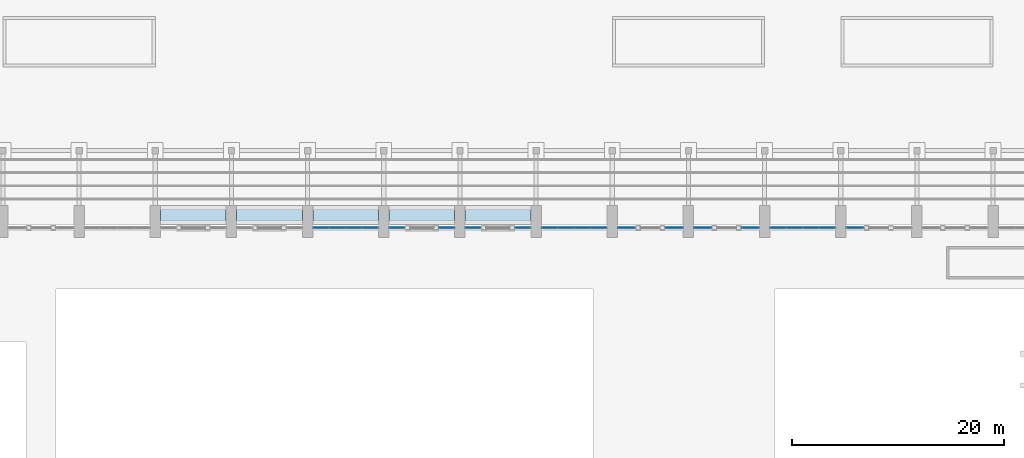
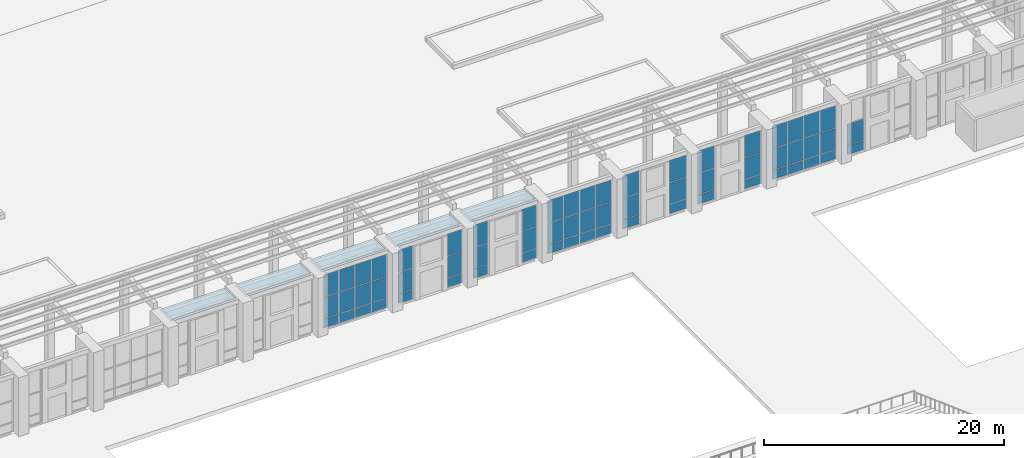
# One storey, part 33 of 70: 62 plates, 5 slabs, 12 elements without a shape of their own.
"""IFC4 building model written with IfcOpenShell, lengths in metres."""

from ifc_helpers import new_model, si_unit, direction, frame, origin, origin_2d, place, context, subcontext, project, spatial, polyline, rectangle, outline, extrude, material, layer, layer_set, type_object, element, aggregate, save


model = new_model("IFC4")

# Units and contexts
model_context = context("Model", 3, precision=1e-05, world=origin(), true_north=direction((0.0, 1.0)))
body_context = subcontext(model_context, "Body", "Model", "MODEL_VIEW")
ifc_project = project(units=[si_unit("LENGTHUNIT", "METRE"), si_unit("AREAUNIT", "SQUARE_METRE"), si_unit("VOLUMEUNIT", "CUBIC_METRE"), si_unit("PLANEANGLEUNIT", "RADIAN"), si_unit("MASSUNIT", "GRAM", prefix="KILO")], contexts=[model_context])

# Site, building, storey
site_placement = place(None, origin())
site = spatial("IfcSite", under=ifc_project, at=site_placement, CompositionType="ELEMENT")
building_placement = place(site_placement, origin())
building = spatial("IfcBuilding", under=site, at=building_placement, Name="Vermilion Court Aquatics Centre", CompositionType="ELEMENT")
storey_placement = place(building_placement, origin())
storey = spatial("IfcBuildingStorey", under=building, at=storey_placement, Name="L00", CompositionType="ELEMENT", Elevation=0.0)

# Curtain wall, plates
ifc_material_1 = material(Name="Aluminium 6063-T5", Category="aluminium")
curtain_wall_type = type_object("IfcCurtainWallType", Name="Envelope curtain wall hall glazing L00", PredefinedType="NOTDEFINED", material=ifc_material_1)
curtain_wall_1_placement = place(storey_placement, origin())
curtain_wall_1 = element("IfcCurtainWall", 1, at=curtain_wall_1_placement, inside=storey, type_object=curtain_wall_type, Name="Hall glazing bay 9 L00", PredefinedType="NOTDEFINED")
ifc_material_2 = material(Name="Glazing", Category="glass")
ifc_layer_1 = layer(ifc_material_2, 0.028076171875)
ifc_layer_set_1 = layer_set([ifc_layer_1], Name="Envelope insulated glazing panel 28")
plate_type = type_object("IfcPlateType", Name="Envelope insulated glazing panel 28", PredefinedType="CURTAIN_PANEL", material=ifc_layer_set_1)
plate_1_placement = place(storey_placement, frame((73.2900390625, 64.800048828125, 0.06005859375), z_axis=(0.0, 0.0, 1.0), x_axis=(1.0, 0.0, 0.0)))
plate_1 = element("IfcPlate", 2, at=plate_1_placement, type_object=plate_type, Name="ECW1 panel 1.1", PredefinedType="CURTAIN_PANEL", context=body_context, shape_type="SweptSolid", body=[
    extrude(rectangle(XDim=1.4599609375, YDim=0.028076171875, at=origin_2d()), origin(), (0.0, 0.0, 1.0), 0.909912109375),
])
plate_2_placement = place(storey_placement, frame((73.2900390625, 64.800048828125, 1.0302734375), z_axis=(0.0, 0.0, 1.0), x_axis=(1.0, 0.0, 0.0)))
plate_2 = element("IfcPlate", 3, at=plate_2_placement, type_object=plate_type, Name="ECW1 panel 1.2", PredefinedType="CURTAIN_PANEL", context=body_context, shape_type="SweptSolid", body=[
    extrude(rectangle(XDim=1.4599609375, YDim=0.028076171875, at=origin_2d()), origin(), (0.0, 0.0, 1.0), 2.139892578125),
])
plate_3_placement = place(storey_placement, frame((73.2900390625, 64.800048828125, 3.22998046875), z_axis=(0.0, 0.0, 1.0), x_axis=(1.0, 0.0, 0.0)))
plate_3 = element("IfcPlate", 4, at=plate_3_placement, type_object=plate_type, Name="ECW1 panel 1.3", PredefinedType="CURTAIN_PANEL", context=body_context, shape_type="SweptSolid", body=[
    extrude(rectangle(XDim=1.4599609375, YDim=0.028076171875, at=origin_2d()), origin(), (0.0, 0.0, 1.0), 2.260009765625),
])
plate_4_placement = place(storey_placement, frame((74.824951171875, 64.800048828125, 0.06005859375), z_axis=(0.0, 0.0, 1.0), x_axis=(1.0, 0.0, 0.0)))
plate_4 = element("IfcPlate", 5, at=plate_4_placement, type_object=plate_type, Name="ECW1 panel 2.1", PredefinedType="CURTAIN_PANEL", context=body_context, shape_type="SweptSolid", body=[
    extrude(rectangle(XDim=1.489990234375, YDim=0.028076171875, at=origin_2d()), origin(), (0.0, 0.0, 1.0), 0.909912109375),
])
plate_5_placement = place(storey_placement, frame((74.824951171875, 64.800048828125, 1.0302734375), z_axis=(0.0, 0.0, 1.0), x_axis=(1.0, 0.0, 0.0)))
plate_5 = element("IfcPlate", 6, at=plate_5_placement, type_object=plate_type, Name="ECW1 panel 2.2", PredefinedType="CURTAIN_PANEL", context=body_context, shape_type="SweptSolid", body=[
    extrude(rectangle(XDim=1.489990234375, YDim=0.028076171875, at=origin_2d()), origin(), (0.0, 0.0, 1.0), 2.139892578125),
])
plate_6_placement = place(storey_placement, frame((74.824951171875, 64.800048828125, 3.22998046875), z_axis=(0.0, 0.0, 1.0), x_axis=(1.0, 0.0, 0.0)))
plate_6 = element("IfcPlate", 7, at=plate_6_placement, type_object=plate_type, Name="ECW1 panel 2.3", PredefinedType="CURTAIN_PANEL", context=body_context, shape_type="SweptSolid", body=[
    extrude(rectangle(XDim=1.489990234375, YDim=0.028076171875, at=origin_2d()), origin(), (0.0, 0.0, 1.0), 2.260009765625),
])
plate_7_placement = place(storey_placement, frame((76.375, 64.800048828125, 0.06005859375), z_axis=(0.0, 0.0, 1.0), x_axis=(1.0, 0.0, 0.0)))
plate_7 = element("IfcPlate", 8, at=plate_7_placement, type_object=plate_type, Name="ECW1 panel 3.1", PredefinedType="CURTAIN_PANEL", context=body_context, shape_type="SweptSolid", body=[
    extrude(rectangle(XDim=1.489990234375, YDim=0.028076171875, at=origin_2d()), origin(), (0.0, 0.0, 1.0), 0.909912109375),
])
plate_8_placement = place(storey_placement, frame((76.375, 64.800048828125, 1.0302734375), z_axis=(0.0, 0.0, 1.0), x_axis=(1.0, 0.0, 0.0)))
plate_8 = element("IfcPlate", 9, at=plate_8_placement, type_object=plate_type, Name="ECW1 panel 3.2", PredefinedType="CURTAIN_PANEL", context=body_context, shape_type="SweptSolid", body=[
    extrude(rectangle(XDim=1.489990234375, YDim=0.028076171875, at=origin_2d()), origin(), (0.0, 0.0, 1.0), 2.139892578125),
])
plate_9_placement = place(storey_placement, frame((76.375, 64.800048828125, 3.22998046875), z_axis=(0.0, 0.0, 1.0), x_axis=(1.0, 0.0, 0.0)))
plate_9 = element("IfcPlate", 10, at=plate_9_placement, type_object=plate_type, Name="ECW1 panel 3.3", PredefinedType="CURTAIN_PANEL", context=body_context, shape_type="SweptSolid", body=[
    extrude(rectangle(XDim=1.489990234375, YDim=0.028076171875, at=origin_2d()), origin(), (0.0, 0.0, 1.0), 2.260009765625),
])
plate_10_placement = place(storey_placement, frame((77.909912109375, 64.800048828125, 0.06005859375), z_axis=(0.0, 0.0, 1.0), x_axis=(1.0, 0.0, 0.0)))
plate_10 = element("IfcPlate", 11, at=plate_10_placement, type_object=plate_type, Name="ECW1 panel 4.1", PredefinedType="CURTAIN_PANEL", context=body_context, shape_type="SweptSolid", body=[
    extrude(rectangle(XDim=1.4599609375, YDim=0.028076171875, at=origin_2d()), origin(), (0.0, 0.0, 1.0), 0.909912109375),
])
plate_11_placement = place(storey_placement, frame((77.909912109375, 64.800048828125, 1.0302734375), z_axis=(0.0, 0.0, 1.0), x_axis=(1.0, 0.0, 0.0)))
plate_11 = element("IfcPlate", 12, at=plate_11_placement, type_object=plate_type, Name="ECW1 panel 4.2", PredefinedType="CURTAIN_PANEL", context=body_context, shape_type="SweptSolid", body=[
    extrude(rectangle(XDim=1.4599609375, YDim=0.028076171875, at=origin_2d()), origin(), (0.0, 0.0, 1.0), 2.139892578125),
])
plate_12_placement = place(storey_placement, frame((77.909912109375, 64.800048828125, 3.22998046875), z_axis=(0.0, 0.0, 1.0), x_axis=(1.0, 0.0, 0.0)))
plate_12 = element("IfcPlate", 13, at=plate_12_placement, type_object=plate_type, Name="ECW1 panel 4.3", PredefinedType="CURTAIN_PANEL", context=body_context, shape_type="SweptSolid", body=[
    extrude(rectangle(XDim=1.4599609375, YDim=0.028076171875, at=origin_2d()), origin(), (0.0, 0.0, 1.0), 2.260009765625),
])
aggregate(curtain_wall_1, [plate_1, plate_2, plate_3, plate_4, plate_5, plate_6, plate_7, plate_8, plate_9, plate_10, plate_11, plate_12])

curtain_wall_2_placement = place(storey_placement, origin())
curtain_wall_2 = element("IfcCurtainWall", 14, at=curtain_wall_2_placement, inside=storey, type_object=curtain_wall_type, Name="Hall entrance sidelight bay 10 L00 W", PredefinedType="NOTDEFINED")
plate_13_placement = place(storey_placement, frame((80.449951171875, 64.800048828125, 0.06005859375), z_axis=(0.0, 0.0, 1.0), x_axis=(1.0, 0.0, 0.0)))
plate_13 = element("IfcPlate", 15, at=plate_13_placement, type_object=plate_type, Name="ECW1 panel 1.1", PredefinedType="CURTAIN_PANEL", context=body_context, shape_type="SweptSolid", body=[
    extrude(rectangle(XDim=1.3798828125, YDim=0.028076171875, at=origin_2d()), origin(), (0.0, 0.0, 1.0), 0.909912109375),
])
plate_14_placement = place(storey_placement, frame((80.449951171875, 64.800048828125, 1.0302734375), z_axis=(0.0, 0.0, 1.0), x_axis=(1.0, 0.0, 0.0)))
plate_14 = element("IfcPlate", 16, at=plate_14_placement, type_object=plate_type, Name="ECW1 panel 1.2", PredefinedType="CURTAIN_PANEL", context=body_context, shape_type="SweptSolid", body=[
    extrude(rectangle(XDim=1.3798828125, YDim=0.028076171875, at=origin_2d()), origin(), (0.0, 0.0, 1.0), 2.139892578125),
])
plate_15_placement = place(storey_placement, frame((80.449951171875, 64.800048828125, 3.22998046875), z_axis=(0.0, 0.0, 1.0), x_axis=(1.0, 0.0, 0.0)))
plate_15 = element("IfcPlate", 17, at=plate_15_placement, type_object=plate_type, Name="ECW1 panel 1.3", PredefinedType="CURTAIN_PANEL", context=body_context, shape_type="SweptSolid", body=[
    extrude(rectangle(XDim=1.3798828125, YDim=0.028076171875, at=origin_2d()), origin(), (0.0, 0.0, 1.0), 2.260009765625),
])
aggregate(curtain_wall_2, [plate_13, plate_14, plate_15])

curtain_wall_3_placement = place(storey_placement, origin())
curtain_wall_3 = element("IfcCurtainWall", 18, at=curtain_wall_3_placement, inside=storey, type_object=curtain_wall_type, Name="Hall entrance sidelight bay 10 L00 E", PredefinedType="NOTDEFINED")
plate_16_placement = place(storey_placement, frame((85.14990234375, 64.800048828125, 0.06005859375), z_axis=(0.0, 0.0, 1.0), x_axis=(1.0, 0.0, 0.0)))
plate_16 = element("IfcPlate", 19, at=plate_16_placement, type_object=plate_type, Name="ECW1 panel 1.1", PredefinedType="CURTAIN_PANEL", context=body_context, shape_type="SweptSolid", body=[
    extrude(rectangle(XDim=1.3798828125, YDim=0.028076171875, at=origin_2d()), origin(), (0.0, 0.0, 1.0), 0.909912109375),
])
plate_17_placement = place(storey_placement, frame((85.14990234375, 64.800048828125, 1.0302734375), z_axis=(0.0, 0.0, 1.0), x_axis=(1.0, 0.0, 0.0)))
plate_17 = element("IfcPlate", 20, at=plate_17_placement, type_object=plate_type, Name="ECW1 panel 1.2", PredefinedType="CURTAIN_PANEL", context=body_context, shape_type="SweptSolid", body=[
    extrude(rectangle(XDim=1.3798828125, YDim=0.028076171875, at=origin_2d()), origin(), (0.0, 0.0, 1.0), 2.139892578125),
])
plate_18_placement = place(storey_placement, frame((85.14990234375, 64.800048828125, 3.22998046875), z_axis=(0.0, 0.0, 1.0), x_axis=(1.0, 0.0, 0.0)))
plate_18 = element("IfcPlate", 21, at=plate_18_placement, type_object=plate_type, Name="ECW1 panel 1.3", PredefinedType="CURTAIN_PANEL", context=body_context, shape_type="SweptSolid", body=[
    extrude(rectangle(XDim=1.3798828125, YDim=0.028076171875, at=origin_2d()), origin(), (0.0, 0.0, 1.0), 2.260009765625),
])
aggregate(curtain_wall_3, [plate_16, plate_17, plate_18])

curtain_wall_4_placement = place(storey_placement, origin())
curtain_wall_4 = element("IfcCurtainWall", 22, at=curtain_wall_4_placement, inside=storey, type_object=curtain_wall_type, Name="Hall entrance sidelight bay 11 L00 W", PredefinedType="NOTDEFINED")
plate_19_placement = place(storey_placement, frame((87.64990234375, 64.800048828125, 0.06005859375), z_axis=(0.0, 0.0, 1.0), x_axis=(1.0, 0.0, 0.0)))
plate_19 = element("IfcPlate", 23, at=plate_19_placement, type_object=plate_type, Name="ECW1 panel 1.1", PredefinedType="CURTAIN_PANEL", context=body_context, shape_type="SweptSolid", body=[
    extrude(rectangle(XDim=1.3798828125, YDim=0.028076171875, at=origin_2d()), origin(), (0.0, 0.0, 1.0), 0.909912109375),
])
plate_20_placement = place(storey_placement, frame((87.64990234375, 64.800048828125, 1.0302734375), z_axis=(0.0, 0.0, 1.0), x_axis=(1.0, 0.0, 0.0)))
plate_20 = element("IfcPlate", 24, at=plate_20_placement, type_object=plate_type, Name="ECW1 panel 1.2", PredefinedType="CURTAIN_PANEL", context=body_context, shape_type="SweptSolid", body=[
    extrude(rectangle(XDim=1.3798828125, YDim=0.028076171875, at=origin_2d()), origin(), (0.0, 0.0, 1.0), 2.139892578125),
])
plate_21_placement = place(storey_placement, frame((87.64990234375, 64.800048828125, 3.22998046875), z_axis=(0.0, 0.0, 1.0), x_axis=(1.0, 0.0, 0.0)))
plate_21 = element("IfcPlate", 25, at=plate_21_placement, type_object=plate_type, Name="ECW1 panel 1.3", PredefinedType="CURTAIN_PANEL", context=body_context, shape_type="SweptSolid", body=[
    extrude(rectangle(XDim=1.3798828125, YDim=0.028076171875, at=origin_2d()), origin(), (0.0, 0.0, 1.0), 2.260009765625),
])
aggregate(curtain_wall_4, [plate_19, plate_20, plate_21])

curtain_wall_5_placement = place(storey_placement, origin())
curtain_wall_5 = element("IfcCurtainWall", 26, at=curtain_wall_5_placement, inside=storey, type_object=curtain_wall_type, Name="Hall entrance sidelight bay 11 L00 E", PredefinedType="NOTDEFINED")
plate_22_placement = place(storey_placement, frame((92.35009765625, 64.800048828125, 0.06005859375), z_axis=(0.0, 0.0, 1.0), x_axis=(1.0, 0.0, 0.0)))
plate_22 = element("IfcPlate", 27, at=plate_22_placement, type_object=plate_type, Name="ECW1 panel 1.1", PredefinedType="CURTAIN_PANEL", context=body_context, shape_type="SweptSolid", body=[
    extrude(rectangle(XDim=1.3798828125, YDim=0.028076171875, at=origin_2d()), origin(), (0.0, 0.0, 1.0), 0.909912109375),
])
plate_23_placement = place(storey_placement, frame((92.35009765625, 64.800048828125, 1.0302734375), z_axis=(0.0, 0.0, 1.0), x_axis=(1.0, 0.0, 0.0)))
plate_23 = element("IfcPlate", 28, at=plate_23_placement, type_object=plate_type, Name="ECW1 panel 1.2", PredefinedType="CURTAIN_PANEL", context=body_context, shape_type="SweptSolid", body=[
    extrude(rectangle(XDim=1.3798828125, YDim=0.028076171875, at=origin_2d()), origin(), (0.0, 0.0, 1.0), 2.139892578125),
])
plate_24_placement = place(storey_placement, frame((92.35009765625, 64.800048828125, 3.22998046875), z_axis=(0.0, 0.0, 1.0), x_axis=(1.0, 0.0, 0.0)))
plate_24 = element("IfcPlate", 29, at=plate_24_placement, type_object=plate_type, Name="ECW1 panel 1.3", PredefinedType="CURTAIN_PANEL", context=body_context, shape_type="SweptSolid", body=[
    extrude(rectangle(XDim=1.3798828125, YDim=0.028076171875, at=origin_2d()), origin(), (0.0, 0.0, 1.0), 2.260009765625),
])
aggregate(curtain_wall_5, [plate_22, plate_23, plate_24])

curtain_wall_6_placement = place(storey_placement, origin())
curtain_wall_6 = element("IfcCurtainWall", 30, at=curtain_wall_6_placement, inside=storey, type_object=curtain_wall_type, Name="Hall glazing bay 12 L00", PredefinedType="NOTDEFINED")
plate_25_placement = place(storey_placement, frame((94.889892578125, 64.800048828125, 0.06005859375), z_axis=(0.0, 0.0, 1.0), x_axis=(1.0, 0.0, 0.0)))
plate_25 = element("IfcPlate", 31, at=plate_25_placement, type_object=plate_type, Name="ECW1 panel 1.1", PredefinedType="CURTAIN_PANEL", context=body_context, shape_type="SweptSolid", body=[
    extrude(rectangle(XDim=1.4599609375, YDim=0.028076171875, at=origin_2d()), origin(), (0.0, 0.0, 1.0), 0.909912109375),
])
plate_26_placement = place(storey_placement, frame((94.889892578125, 64.800048828125, 1.0302734375), z_axis=(0.0, 0.0, 1.0), x_axis=(1.0, 0.0, 0.0)))
plate_26 = element("IfcPlate", 32, at=plate_26_placement, type_object=plate_type, Name="ECW1 panel 1.2", PredefinedType="CURTAIN_PANEL", context=body_context, shape_type="SweptSolid", body=[
    extrude(rectangle(XDim=1.4599609375, YDim=0.028076171875, at=origin_2d()), origin(), (0.0, 0.0, 1.0), 2.139892578125),
])
plate_27_placement = place(storey_placement, frame((94.889892578125, 64.800048828125, 3.22998046875), z_axis=(0.0, 0.0, 1.0), x_axis=(1.0, 0.0, 0.0)))
plate_27 = element("IfcPlate", 33, at=plate_27_placement, type_object=plate_type, Name="ECW1 panel 1.3", PredefinedType="CURTAIN_PANEL", context=body_context, shape_type="SweptSolid", body=[
    extrude(rectangle(XDim=1.4599609375, YDim=0.028076171875, at=origin_2d()), origin(), (0.0, 0.0, 1.0), 2.260009765625),
])
plate_28_placement = place(storey_placement, frame((96.425048828125, 64.800048828125, 0.06005859375), z_axis=(0.0, 0.0, 1.0), x_axis=(1.0, 0.0, 0.0)))
plate_28 = element("IfcPlate", 34, at=plate_28_placement, type_object=plate_type, Name="ECW1 panel 2.1", PredefinedType="CURTAIN_PANEL", context=body_context, shape_type="SweptSolid", body=[
    extrude(rectangle(XDim=1.489990234375, YDim=0.028076171875, at=origin_2d()), origin(), (0.0, 0.0, 1.0), 0.909912109375),
])
plate_29_placement = place(storey_placement, frame((96.425048828125, 64.800048828125, 1.0302734375), z_axis=(0.0, 0.0, 1.0), x_axis=(1.0, 0.0, 0.0)))
plate_29 = element("IfcPlate", 35, at=plate_29_placement, type_object=plate_type, Name="ECW1 panel 2.2", PredefinedType="CURTAIN_PANEL", context=body_context, shape_type="SweptSolid", body=[
    extrude(rectangle(XDim=1.489990234375, YDim=0.028076171875, at=origin_2d()), origin(), (0.0, 0.0, 1.0), 2.139892578125),
])
plate_30_placement = place(storey_placement, frame((96.425048828125, 64.800048828125, 3.22998046875), z_axis=(0.0, 0.0, 1.0), x_axis=(1.0, 0.0, 0.0)))
plate_30 = element("IfcPlate", 36, at=plate_30_placement, type_object=plate_type, Name="ECW1 panel 2.3", PredefinedType="CURTAIN_PANEL", context=body_context, shape_type="SweptSolid", body=[
    extrude(rectangle(XDim=1.489990234375, YDim=0.028076171875, at=origin_2d()), origin(), (0.0, 0.0, 1.0), 2.260009765625),
])
plate_31_placement = place(storey_placement, frame((97.97509765625, 64.800048828125, 0.06005859375), z_axis=(0.0, 0.0, 1.0), x_axis=(1.0, 0.0, 0.0)))
plate_31 = element("IfcPlate", 37, at=plate_31_placement, type_object=plate_type, Name="ECW1 panel 3.1", PredefinedType="CURTAIN_PANEL", context=body_context, shape_type="SweptSolid", body=[
    extrude(rectangle(XDim=1.489990234375, YDim=0.028076171875, at=origin_2d()), origin(), (0.0, 0.0, 1.0), 0.909912109375),
])
plate_32_placement = place(storey_placement, frame((97.97509765625, 64.800048828125, 1.0302734375), z_axis=(0.0, 0.0, 1.0), x_axis=(1.0, 0.0, 0.0)))
plate_32 = element("IfcPlate", 38, at=plate_32_placement, type_object=plate_type, Name="ECW1 panel 3.2", PredefinedType="CURTAIN_PANEL", context=body_context, shape_type="SweptSolid", body=[
    extrude(rectangle(XDim=1.489990234375, YDim=0.028076171875, at=origin_2d()), origin(), (0.0, 0.0, 1.0), 2.139892578125),
])
plate_33_placement = place(storey_placement, frame((97.97509765625, 64.800048828125, 3.22998046875), z_axis=(0.0, 0.0, 1.0), x_axis=(1.0, 0.0, 0.0)))
plate_33 = element("IfcPlate", 39, at=plate_33_placement, type_object=plate_type, Name="ECW1 panel 3.3", PredefinedType="CURTAIN_PANEL", context=body_context, shape_type="SweptSolid", body=[
    extrude(rectangle(XDim=1.489990234375, YDim=0.028076171875, at=origin_2d()), origin(), (0.0, 0.0, 1.0), 2.260009765625),
])
plate_34_placement = place(storey_placement, frame((99.510009765625, 64.800048828125, 0.06005859375), z_axis=(0.0, 0.0, 1.0), x_axis=(1.0, 0.0, 0.0)))
plate_34 = element("IfcPlate", 40, at=plate_34_placement, type_object=plate_type, Name="ECW1 panel 4.1", PredefinedType="CURTAIN_PANEL", context=body_context, shape_type="SweptSolid", body=[
    extrude(rectangle(XDim=1.4599609375, YDim=0.028076171875, at=origin_2d()), origin(), (0.0, 0.0, 1.0), 0.909912109375),
])
plate_35_placement = place(storey_placement, frame((99.510009765625, 64.800048828125, 1.0302734375), z_axis=(0.0, 0.0, 1.0), x_axis=(1.0, 0.0, 0.0)))
plate_35 = element("IfcPlate", 41, at=plate_35_placement, type_object=plate_type, Name="ECW1 panel 4.2", PredefinedType="CURTAIN_PANEL", context=body_context, shape_type="SweptSolid", body=[
    extrude(rectangle(XDim=1.4599609375, YDim=0.028076171875, at=origin_2d()), origin(), (0.0, 0.0, 1.0), 2.139892578125),
])
plate_36_placement = place(storey_placement, frame((99.510009765625, 64.800048828125, 3.22998046875), z_axis=(0.0, 0.0, 1.0), x_axis=(1.0, 0.0, 0.0)))
plate_36 = element("IfcPlate", 42, at=plate_36_placement, type_object=plate_type, Name="ECW1 panel 4.3", PredefinedType="CURTAIN_PANEL", context=body_context, shape_type="SweptSolid", body=[
    extrude(rectangle(XDim=1.4599609375, YDim=0.028076171875, at=origin_2d()), origin(), (0.0, 0.0, 1.0), 2.260009765625),
])
aggregate(curtain_wall_6, [plate_25, plate_26, plate_27, plate_28, plate_29, plate_30, plate_31, plate_32, plate_33, plate_34, plate_35, plate_36])

curtain_wall_7_placement = place(storey_placement, origin())
curtain_wall_7 = element("IfcCurtainWall", 43, at=curtain_wall_7_placement, inside=storey, type_object=curtain_wall_type, Name="Hall entrance sidelight bay 13 L00 W", PredefinedType="NOTDEFINED")
plate_37_placement = place(storey_placement, frame((102.14990234375, 64.800048828125, 0.06005859375), z_axis=(0.0, 0.0, 1.0), x_axis=(1.0, 0.0, 0.0)))
plate_37 = element("IfcPlate", 44, at=plate_37_placement, type_object=plate_type, Name="ECW1 panel 1.1", PredefinedType="CURTAIN_PANEL", context=body_context, shape_type="SweptSolid", body=[
    extrude(rectangle(XDim=1.580078125, YDim=0.028076171875, at=origin_2d()), origin(), (0.0, 0.0, 1.0), 0.909912109375),
])
plate_38_placement = place(storey_placement, frame((102.14990234375, 64.800048828125, 1.0302734375), z_axis=(0.0, 0.0, 1.0), x_axis=(1.0, 0.0, 0.0)))
plate_38 = element("IfcPlate", 45, at=plate_38_placement, type_object=plate_type, Name="ECW1 panel 1.2", PredefinedType="CURTAIN_PANEL", context=body_context, shape_type="SweptSolid", body=[
    extrude(rectangle(XDim=1.580078125, YDim=0.028076171875, at=origin_2d()), origin(), (0.0, 0.0, 1.0), 2.139892578125),
])
plate_39_placement = place(storey_placement, frame((102.14990234375, 64.800048828125, 3.22998046875), z_axis=(0.0, 0.0, 1.0), x_axis=(1.0, 0.0, 0.0)))
plate_39 = element("IfcPlate", 46, at=plate_39_placement, type_object=plate_type, Name="ECW1 panel 1.3", PredefinedType="CURTAIN_PANEL", context=body_context, shape_type="SweptSolid", body=[
    extrude(rectangle(XDim=1.580078125, YDim=0.028076171875, at=origin_2d()), origin(), (0.0, 0.0, 1.0), 2.260009765625),
])
aggregate(curtain_wall_7, [plate_37, plate_38, plate_39])

curtain_wall_8_placement = place(storey_placement, origin())
curtain_wall_8 = element("IfcCurtainWall", 47, at=curtain_wall_8_placement, inside=storey, type_object=curtain_wall_type, Name="Hall entrance sidelight bay 13 L00 E", PredefinedType="NOTDEFINED")
plate_40_placement = place(storey_placement, frame((106.64990234375, 64.800048828125, 0.06005859375), z_axis=(0.0, 0.0, 1.0), x_axis=(1.0, 0.0, 0.0)))
plate_40 = element("IfcPlate", 48, at=plate_40_placement, type_object=plate_type, Name="ECW1 panel 1.1", PredefinedType="CURTAIN_PANEL", context=body_context, shape_type="SweptSolid", body=[
    extrude(rectangle(XDim=1.580078125, YDim=0.028076171875, at=origin_2d()), origin(), (0.0, 0.0, 1.0), 0.909912109375),
])
plate_41_placement = place(storey_placement, frame((106.64990234375, 64.800048828125, 1.0302734375), z_axis=(0.0, 0.0, 1.0), x_axis=(1.0, 0.0, 0.0)))
plate_41 = element("IfcPlate", 49, at=plate_41_placement, type_object=plate_type, Name="ECW1 panel 1.2", PredefinedType="CURTAIN_PANEL", context=body_context, shape_type="SweptSolid", body=[
    extrude(rectangle(XDim=1.580078125, YDim=0.028076171875, at=origin_2d()), origin(), (0.0, 0.0, 1.0), 2.139892578125),
])
plate_42_placement = place(storey_placement, frame((106.64990234375, 64.800048828125, 3.22998046875), z_axis=(0.0, 0.0, 1.0), x_axis=(1.0, 0.0, 0.0)))
plate_42 = element("IfcPlate", 50, at=plate_42_placement, type_object=plate_type, Name="ECW1 panel 1.3", PredefinedType="CURTAIN_PANEL", context=body_context, shape_type="SweptSolid", body=[
    extrude(rectangle(XDim=1.580078125, YDim=0.028076171875, at=origin_2d()), origin(), (0.0, 0.0, 1.0), 2.260009765625),
])
aggregate(curtain_wall_8, [plate_40, plate_41, plate_42])

curtain_wall_9_placement = place(storey_placement, origin())
curtain_wall_9 = element("IfcCurtainWall", 51, at=curtain_wall_9_placement, inside=storey, type_object=curtain_wall_type, Name="Hall entrance sidelight bay 14 L00 W", PredefinedType="NOTDEFINED")
plate_43_placement = place(storey_placement, frame((109.35009765625, 64.800048828125, 0.06005859375), z_axis=(0.0, 0.0, 1.0), x_axis=(1.0, 0.0, 0.0)))
plate_43 = element("IfcPlate", 52, at=plate_43_placement, type_object=plate_type, Name="ECW1 panel 1.1", PredefinedType="CURTAIN_PANEL", context=body_context, shape_type="SweptSolid", body=[
    extrude(rectangle(XDim=1.580078125, YDim=0.028076171875, at=origin_2d()), origin(), (0.0, 0.0, 1.0), 0.909912109375),
])
plate_44_placement = place(storey_placement, frame((109.35009765625, 64.800048828125, 1.0302734375), z_axis=(0.0, 0.0, 1.0), x_axis=(1.0, 0.0, 0.0)))
plate_44 = element("IfcPlate", 53, at=plate_44_placement, type_object=plate_type, Name="ECW1 panel 1.2", PredefinedType="CURTAIN_PANEL", context=body_context, shape_type="SweptSolid", body=[
    extrude(rectangle(XDim=1.580078125, YDim=0.028076171875, at=origin_2d()), origin(), (0.0, 0.0, 1.0), 2.139892578125),
])
plate_45_placement = place(storey_placement, frame((109.35009765625, 64.800048828125, 3.22998046875), z_axis=(0.0, 0.0, 1.0), x_axis=(1.0, 0.0, 0.0)))
plate_45 = element("IfcPlate", 54, at=plate_45_placement, type_object=plate_type, Name="ECW1 panel 1.3", PredefinedType="CURTAIN_PANEL", context=body_context, shape_type="SweptSolid", body=[
    extrude(rectangle(XDim=1.580078125, YDim=0.028076171875, at=origin_2d()), origin(), (0.0, 0.0, 1.0), 2.260009765625),
])
aggregate(curtain_wall_9, [plate_43, plate_44, plate_45])

curtain_wall_10_placement = place(storey_placement, origin())
curtain_wall_10 = element("IfcCurtainWall", 55, at=curtain_wall_10_placement, inside=storey, type_object=curtain_wall_type, Name="Hall entrance sidelight bay 14 L00 E", PredefinedType="NOTDEFINED")
plate_46_placement = place(storey_placement, frame((113.85009765625, 64.800048828125, 0.06005859375), z_axis=(0.0, 0.0, 1.0), x_axis=(1.0, 0.0, 0.0)))
plate_46 = element("IfcPlate", 56, at=plate_46_placement, type_object=plate_type, Name="ECW1 panel 1.1", PredefinedType="CURTAIN_PANEL", context=body_context, shape_type="SweptSolid", body=[
    extrude(rectangle(XDim=1.580078125, YDim=0.028076171875, at=origin_2d()), origin(), (0.0, 0.0, 1.0), 0.909912109375),
])
plate_47_placement = place(storey_placement, frame((113.85009765625, 64.800048828125, 1.0302734375), z_axis=(0.0, 0.0, 1.0), x_axis=(1.0, 0.0, 0.0)))
plate_47 = element("IfcPlate", 57, at=plate_47_placement, type_object=plate_type, Name="ECW1 panel 1.2", PredefinedType="CURTAIN_PANEL", context=body_context, shape_type="SweptSolid", body=[
    extrude(rectangle(XDim=1.580078125, YDim=0.028076171875, at=origin_2d()), origin(), (0.0, 0.0, 1.0), 2.139892578125),
])
plate_48_placement = place(storey_placement, frame((113.85009765625, 64.800048828125, 3.22998046875), z_axis=(0.0, 0.0, 1.0), x_axis=(1.0, 0.0, 0.0)))
plate_48 = element("IfcPlate", 58, at=plate_48_placement, type_object=plate_type, Name="ECW1 panel 1.3", PredefinedType="CURTAIN_PANEL", context=body_context, shape_type="SweptSolid", body=[
    extrude(rectangle(XDim=1.580078125, YDim=0.028076171875, at=origin_2d()), origin(), (0.0, 0.0, 1.0), 2.260009765625),
])
aggregate(curtain_wall_10, [plate_46, plate_47, plate_48])

curtain_wall_11_placement = place(storey_placement, origin())
curtain_wall_11 = element("IfcCurtainWall", 59, at=curtain_wall_11_placement, inside=storey, type_object=curtain_wall_type, Name="Hall glazing bay 15 L00", PredefinedType="NOTDEFINED")
plate_49_placement = place(storey_placement, frame((116.489990234375, 64.800048828125, 0.06005859375), z_axis=(0.0, 0.0, 1.0), x_axis=(1.0, 0.0, 0.0)))
plate_49 = element("IfcPlate", 60, at=plate_49_placement, type_object=plate_type, Name="ECW1 panel 1.1", PredefinedType="CURTAIN_PANEL", context=body_context, shape_type="SweptSolid", body=[
    extrude(rectangle(XDim=1.4599609375, YDim=0.028076171875, at=origin_2d()), origin(), (0.0, 0.0, 1.0), 0.909912109375),
])
plate_50_placement = place(storey_placement, frame((116.489990234375, 64.800048828125, 1.0302734375), z_axis=(0.0, 0.0, 1.0), x_axis=(1.0, 0.0, 0.0)))
plate_50 = element("IfcPlate", 61, at=plate_50_placement, type_object=plate_type, Name="ECW1 panel 1.2", PredefinedType="CURTAIN_PANEL", context=body_context, shape_type="SweptSolid", body=[
    extrude(rectangle(XDim=1.4599609375, YDim=0.028076171875, at=origin_2d()), origin(), (0.0, 0.0, 1.0), 2.139892578125),
])
plate_51_placement = place(storey_placement, frame((116.489990234375, 64.800048828125, 3.22998046875), z_axis=(0.0, 0.0, 1.0), x_axis=(1.0, 0.0, 0.0)))
plate_51 = element("IfcPlate", 62, at=plate_51_placement, type_object=plate_type, Name="ECW1 panel 1.3", PredefinedType="CURTAIN_PANEL", context=body_context, shape_type="SweptSolid", body=[
    extrude(rectangle(XDim=1.4599609375, YDim=0.028076171875, at=origin_2d()), origin(), (0.0, 0.0, 1.0), 2.260009765625),
])
plate_52_placement = place(storey_placement, frame((118.02490234375, 64.800048828125, 0.06005859375), z_axis=(0.0, 0.0, 1.0), x_axis=(1.0, 0.0, 0.0)))
plate_52 = element("IfcPlate", 63, at=plate_52_placement, type_object=plate_type, Name="ECW1 panel 2.1", PredefinedType="CURTAIN_PANEL", context=body_context, shape_type="SweptSolid", body=[
    extrude(rectangle(XDim=1.489990234375, YDim=0.028076171875, at=origin_2d()), origin(), (0.0, 0.0, 1.0), 0.909912109375),
])
plate_53_placement = place(storey_placement, frame((118.02490234375, 64.800048828125, 1.0302734375), z_axis=(0.0, 0.0, 1.0), x_axis=(1.0, 0.0, 0.0)))
plate_53 = element("IfcPlate", 64, at=plate_53_placement, type_object=plate_type, Name="ECW1 panel 2.2", PredefinedType="CURTAIN_PANEL", context=body_context, shape_type="SweptSolid", body=[
    extrude(rectangle(XDim=1.489990234375, YDim=0.028076171875, at=origin_2d()), origin(), (0.0, 0.0, 1.0), 2.139892578125),
])
plate_54_placement = place(storey_placement, frame((118.02490234375, 64.800048828125, 3.22998046875), z_axis=(0.0, 0.0, 1.0), x_axis=(1.0, 0.0, 0.0)))
plate_54 = element("IfcPlate", 65, at=plate_54_placement, type_object=plate_type, Name="ECW1 panel 2.3", PredefinedType="CURTAIN_PANEL", context=body_context, shape_type="SweptSolid", body=[
    extrude(rectangle(XDim=1.489990234375, YDim=0.028076171875, at=origin_2d()), origin(), (0.0, 0.0, 1.0), 2.260009765625),
])
plate_55_placement = place(storey_placement, frame((119.574951171875, 64.800048828125, 0.06005859375), z_axis=(0.0, 0.0, 1.0), x_axis=(1.0, 0.0, 0.0)))
plate_55 = element("IfcPlate", 66, at=plate_55_placement, type_object=plate_type, Name="ECW1 panel 3.1", PredefinedType="CURTAIN_PANEL", context=body_context, shape_type="SweptSolid", body=[
    extrude(rectangle(XDim=1.489990234375, YDim=0.028076171875, at=origin_2d()), origin(), (0.0, 0.0, 1.0), 0.909912109375),
])
plate_56_placement = place(storey_placement, frame((119.574951171875, 64.800048828125, 1.0302734375), z_axis=(0.0, 0.0, 1.0), x_axis=(1.0, 0.0, 0.0)))
plate_56 = element("IfcPlate", 67, at=plate_56_placement, type_object=plate_type, Name="ECW1 panel 3.2", PredefinedType="CURTAIN_PANEL", context=body_context, shape_type="SweptSolid", body=[
    extrude(rectangle(XDim=1.489990234375, YDim=0.028076171875, at=origin_2d()), origin(), (0.0, 0.0, 1.0), 2.139892578125),
])
plate_57_placement = place(storey_placement, frame((119.574951171875, 64.800048828125, 3.22998046875), z_axis=(0.0, 0.0, 1.0), x_axis=(1.0, 0.0, 0.0)))
plate_57 = element("IfcPlate", 68, at=plate_57_placement, type_object=plate_type, Name="ECW1 panel 3.3", PredefinedType="CURTAIN_PANEL", context=body_context, shape_type="SweptSolid", body=[
    extrude(rectangle(XDim=1.489990234375, YDim=0.028076171875, at=origin_2d()), origin(), (0.0, 0.0, 1.0), 2.260009765625),
])
plate_58_placement = place(storey_placement, frame((121.110107421875, 64.800048828125, 0.06005859375), z_axis=(0.0, 0.0, 1.0), x_axis=(1.0, 0.0, 0.0)))
plate_58 = element("IfcPlate", 69, at=plate_58_placement, type_object=plate_type, Name="ECW1 panel 4.1", PredefinedType="CURTAIN_PANEL", context=body_context, shape_type="SweptSolid", body=[
    extrude(rectangle(XDim=1.4599609375, YDim=0.028076171875, at=origin_2d()), origin(), (0.0, 0.0, 1.0), 0.909912109375),
])
plate_59_placement = place(storey_placement, frame((121.110107421875, 64.800048828125, 1.0302734375), z_axis=(0.0, 0.0, 1.0), x_axis=(1.0, 0.0, 0.0)))
plate_59 = element("IfcPlate", 70, at=plate_59_placement, type_object=plate_type, Name="ECW1 panel 4.2", PredefinedType="CURTAIN_PANEL", context=body_context, shape_type="SweptSolid", body=[
    extrude(rectangle(XDim=1.4599609375, YDim=0.028076171875, at=origin_2d()), origin(), (0.0, 0.0, 1.0), 2.139892578125),
])
plate_60_placement = place(storey_placement, frame((121.110107421875, 64.800048828125, 3.22998046875), z_axis=(0.0, 0.0, 1.0), x_axis=(1.0, 0.0, 0.0)))
plate_60 = element("IfcPlate", 71, at=plate_60_placement, type_object=plate_type, Name="ECW1 panel 4.3", PredefinedType="CURTAIN_PANEL", context=body_context, shape_type="SweptSolid", body=[
    extrude(rectangle(XDim=1.4599609375, YDim=0.028076171875, at=origin_2d()), origin(), (0.0, 0.0, 1.0), 2.260009765625),
])
aggregate(curtain_wall_11, [plate_49, plate_50, plate_51, plate_52, plate_53, plate_54, plate_55, plate_56, plate_57, plate_58, plate_59, plate_60])

curtain_wall_12_placement = place(storey_placement, origin())
curtain_wall_12 = element("IfcCurtainWall", 72, at=curtain_wall_12_placement, inside=storey, type_object=curtain_wall_type, Name="Hall entrance sidelight bay 16 L00 W", PredefinedType="NOTDEFINED")
plate_61_placement = place(storey_placement, frame((123.75, 64.800048828125, 0.06005859375), z_axis=(0.0, 0.0, 1.0), x_axis=(1.0, 0.0, 0.0)))
plate_61 = element("IfcPlate", 73, at=plate_61_placement, type_object=plate_type, Name="ECW1 panel 1.1", PredefinedType="CURTAIN_PANEL", context=body_context, shape_type="SweptSolid", body=[
    extrude(rectangle(XDim=1.580078125, YDim=0.028076171875, at=origin_2d()), origin(), (0.0, 0.0, 1.0), 0.909912109375),
])
plate_62_placement = place(storey_placement, frame((123.75, 64.800048828125, 1.0302734375), z_axis=(0.0, 0.0, 1.0), x_axis=(1.0, 0.0, 0.0)))
plate_62 = element("IfcPlate", 74, at=plate_62_placement, type_object=plate_type, Name="ECW1 panel 1.2", PredefinedType="CURTAIN_PANEL", context=body_context, shape_type="SweptSolid", body=[
    extrude(rectangle(XDim=1.580078125, YDim=0.028076171875, at=origin_2d()), origin(), (0.0, 0.0, 1.0), 2.139892578125),
])
aggregate(curtain_wall_12, [plate_61, plate_62])

# Slabs
ifc_material_3 = material(Name="Concrete 5000 psi", Category="concrete")
ifc_layer_2 = layer(ifc_material_3, 0.199951171875)
ifc_layer_set_2 = layer_set([ifc_layer_2], Name="Envelope north entrance canopy slab 200")
slab_type = type_object("IfcSlabType", Name="Envelope north entrance canopy slab 200", PredefinedType="ROOF", material=ifc_layer_set_2)
slab_1_placement = place(storey_placement, frame((0.0, 0.0, 5.60009765625)))
element("IfcSlab", 75, at=slab_1_placement, inside=storey, type_object=slab_type, Name="North entrance canopy slab 7", PredefinedType="ROOF", context=body_context, shape_type="SweptSolid", body=[
    extrude(outline(polyline([(58.10009765625, 65.10009765625), (64.300048828125, 65.10009765625), (64.300048828125, 66.89990234375), (58.10009765625, 66.89990234375), (58.10009765625, 65.10009765625)])), origin(), (0.0, 0.0, 1.0), 0.199951171875),
])
slab_2_placement = place(storey_placement, frame((0.0, 0.0, 5.60009765625)))
element("IfcSlab", 76, at=slab_2_placement, inside=storey, type_object=slab_type, Name="North entrance canopy slab 8", PredefinedType="ROOF", context=body_context, shape_type="SweptSolid", body=[
    extrude(outline(polyline([(65.300048828125, 65.10009765625), (71.5, 65.10009765625), (71.5, 66.89990234375), (65.300048828125, 66.89990234375), (65.300048828125, 65.10009765625)])), origin(), (0.0, 0.0, 1.0), 0.199951171875),
])
slab_3_placement = place(storey_placement, frame((0.0, 0.0, 5.60009765625)))
element("IfcSlab", 77, at=slab_3_placement, inside=storey, type_object=slab_type, Name="North entrance canopy slab 9", PredefinedType="ROOF", context=body_context, shape_type="SweptSolid", body=[
    extrude(outline(polyline([(72.5, 65.10009765625), (78.699951171875, 65.10009765625), (78.699951171875, 66.89990234375), (72.5, 66.89990234375), (72.5, 65.10009765625)])), origin(), (0.0, 0.0, 1.0), 0.199951171875),
])
slab_4_placement = place(storey_placement, frame((0.0, 0.0, 5.60009765625)))
element("IfcSlab", 78, at=slab_4_placement, inside=storey, type_object=slab_type, Name="North entrance canopy slab 10", PredefinedType="ROOF", context=body_context, shape_type="SweptSolid", body=[
    extrude(outline(polyline([(79.699951171875, 65.10009765625), (85.89990234375, 65.10009765625), (85.89990234375, 66.89990234375), (79.699951171875, 66.89990234375), (79.699951171875, 65.10009765625)])), origin(), (0.0, 0.0, 1.0), 0.199951171875),
])
slab_5_placement = place(storey_placement, frame((0.0, 0.0, 5.60009765625)))
element("IfcSlab", 79, at=slab_5_placement, inside=storey, type_object=slab_type, Name="North entrance canopy slab 11", PredefinedType="ROOF", context=body_context, shape_type="SweptSolid", body=[
    extrude(outline(polyline([(86.89990234375, 65.10009765625), (93.10009765625, 65.10009765625), (93.10009765625, 66.89990234375), (86.89990234375, 66.89990234375), (86.89990234375, 65.10009765625)])), origin(), (0.0, 0.0, 1.0), 0.199951171875),
])

save(model, "model.ifc")
